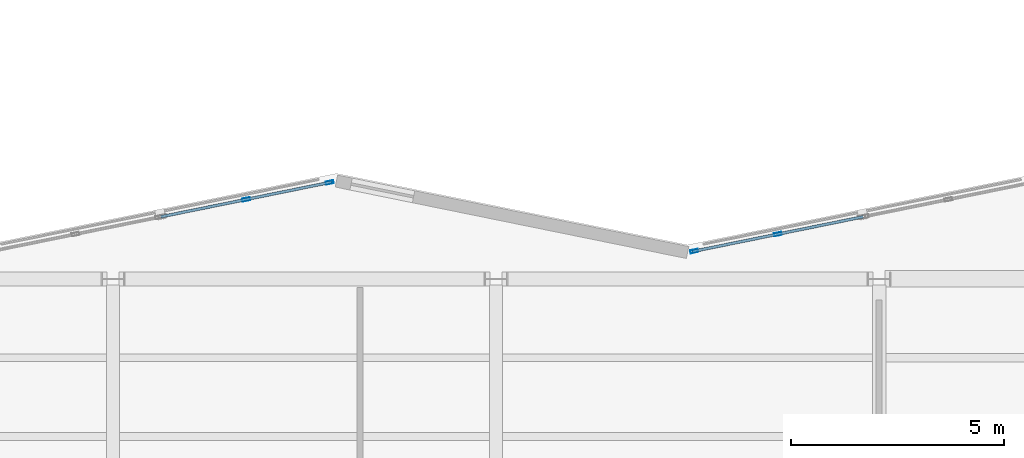
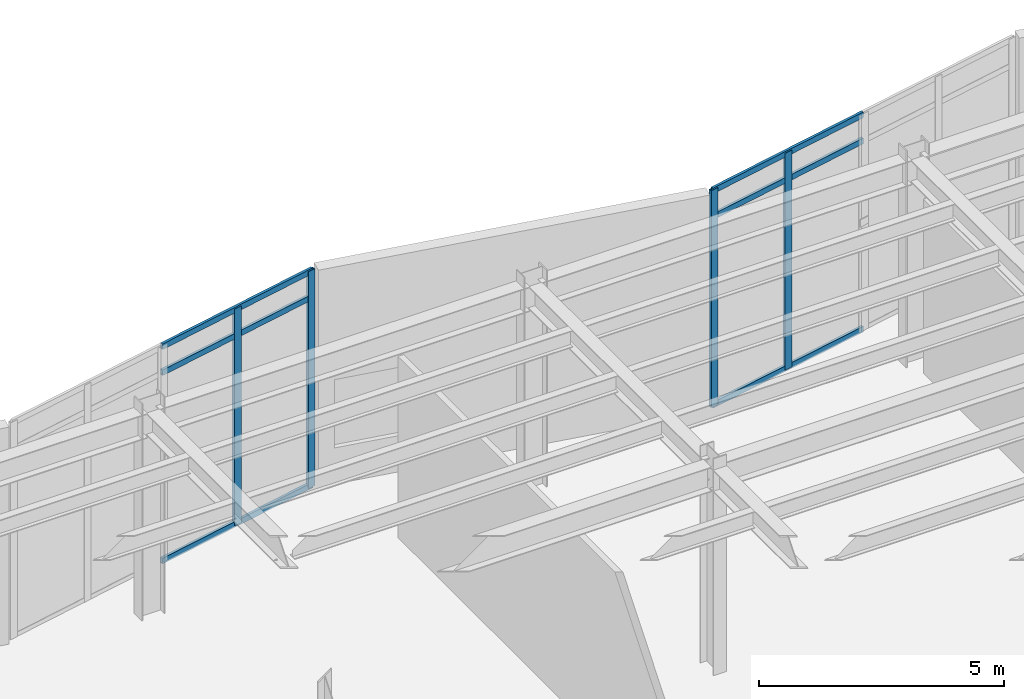
# One storey, part 64 of 98: 10 members, 2 elements without a shape of their own.
"""IFC4 building model written with IfcOpenShell, lengths in metres."""

from ifc_helpers import new_model, si_unit, direction, frame, origin, origin_2d, place, context, subcontext, project, spatial, hollow_rectangle, extrude, material, layer, layer_set, material_profile, profile_set, type_object, element, aggregate, save


model = new_model("IFC4")

# Units and contexts
model_context = context("Model", 3, precision=1e-05, world=origin(), true_north=direction((0.0, 1.0)))
body_context = subcontext(model_context, "Body", "Model", "MODEL_VIEW")
ifc_project = project(units=[si_unit("LENGTHUNIT", "METRE"), si_unit("AREAUNIT", "SQUARE_METRE"), si_unit("VOLUMEUNIT", "CUBIC_METRE"), si_unit("PLANEANGLEUNIT", "RADIAN"), si_unit("MASSUNIT", "GRAM", prefix="KILO")], contexts=[model_context])

# Site, building, storey
site_placement = place(None, origin())
site = spatial("IfcSite", under=ifc_project, at=site_placement, CompositionType="ELEMENT")
building_placement = place(site_placement, origin())
building = spatial("IfcBuilding", under=site, at=building_placement, Name="Sollismere Congress Hotel", CompositionType="ELEMENT")
storey_placement = place(building_placement, frame((0.0, 0.0, 5.39990234375)))
storey = spatial("IfcBuildingStorey", under=building, at=storey_placement, Name="L01", CompositionType="ELEMENT", Elevation=5.39990234375)

# Curtain wall, members
ifc_material_1 = material(Name="Anodized Bronze Curtain Wall & Low-E Triple Glazing", Category="glass")
ifc_layer = layer(ifc_material_1, 0.199951171875, Name="Anodized Bronze Curtain Wall & Low-E Triple Glazing")
ifc_layer_set = layer_set([ifc_layer], Name="Anodized Bronze Curtain Wall & Low-E Triple Glazing")
curtain_wall_type = type_object("IfcCurtainWallType", Name="CW-GLZ36", PredefinedType="USERDEFINED", material=ifc_layer_set)
curtain_wall_1_placement = place(storey_placement, origin())
curtain_wall_1 = element("IfcCurtainWall", 1, at=curtain_wall_1_placement, inside=storey, type_object=curtain_wall_type, Name="Unitised curtain wall CW-L01-086", ObjectType="UNITISED CURTAIN WALL", PredefinedType="USERDEFINED")
ifc_material_2 = material(Name="Anodized Aluminum 6063-T6", Category="aluminium")
ifc_material_profile_1 = material_profile(ifc_material_2, hollow_rectangle(XDim=0.074951171875, YDim=0.179931640625, WallThickness=0.0048828125, at=origin_2d()), Name="ALU180X75X5")
ifc_profile_set_1 = profile_set([ifc_material_profile_1], Name="Anodized Aluminum 6063-T6")
member_type_1 = type_object("IfcMemberType", Name="ML-CW180", PredefinedType="MULLION", material=ifc_profile_set_1)
member_1_placement = place(storey_placement, frame((97.128662109375, 104.266845703125, 0.0), z_axis=(0.0, 0.0, 1.0), x_axis=(-0.199367934417, 0.979924704621, 0.0)))
member_1 = element("IfcMember", 2, at=member_1_placement, type_object=member_type_1, Name="CWL-CW-L01-086-ML02", PredefinedType="MULLION", context=body_context, shape_type="SweptSolid", body=[
    extrude(hollow_rectangle(XDim=0.074951171875, YDim=0.179931640625, WallThickness=0.0048828125, at=origin_2d()), origin(), (0.0, 0.0, 1.0), 5.400146484375),
])
member_2_placement = place(storey_placement, frame((99.09521484375, 104.6669921875, 0.0), z_axis=(0.0, 0.0, 1.0), x_axis=(-0.199367934417, 0.979924704621, 0.0)))
member_2 = element("IfcMember", 3, at=member_2_placement, type_object=member_type_1, Name="CWL-CW-L01-086-ML03", PredefinedType="MULLION", context=body_context, shape_type="SweptSolid", body=[
    extrude(hollow_rectangle(XDim=0.074951171875, YDim=0.179931640625, WallThickness=0.0048828125, at=origin_2d()), origin(), (0.0, 0.0, 1.0), 5.400146484375),
])

curtain_wall_2_placement = place(storey_placement, origin())
curtain_wall_2 = element("IfcCurtainWall", 4, at=curtain_wall_2_placement, inside=storey, type_object=curtain_wall_type, Name="Unitised curtain wall CW-L01-087", ObjectType="UNITISED CURTAIN WALL", PredefinedType="USERDEFINED")
member_3_placement = place(storey_placement, frame((107.65478515625, 103.051513671875, 0.0), z_axis=(0.0, 0.0, 1.0), x_axis=(-0.199367934417, 0.979924704621, 0.0)))
member_3 = element("IfcMember", 5, at=member_3_placement, type_object=member_type_1, Name="CWL-CW-L01-087-ML01", PredefinedType="MULLION", context=body_context, shape_type="SweptSolid", body=[
    extrude(hollow_rectangle(XDim=0.074951171875, YDim=0.179931640625, WallThickness=0.0048828125, at=origin_2d()), origin(), (0.0, 0.0, 1.0), 5.400146484375),
])
member_4_placement = place(storey_placement, frame((109.621337890625, 103.45166015625, 0.0), z_axis=(0.0, 0.0, 1.0), x_axis=(-0.199367934417, 0.979924704621, 0.0)))
member_4 = element("IfcMember", 6, at=member_4_placement, type_object=member_type_1, Name="CWL-CW-L01-087-ML02", PredefinedType="MULLION", context=body_context, shape_type="SweptSolid", body=[
    extrude(hollow_rectangle(XDim=0.074951171875, YDim=0.179931640625, WallThickness=0.0048828125, at=origin_2d()), origin(), (0.0, 0.0, 1.0), 5.400146484375),
])

# Member
ifc_material_profile_2 = material_profile(ifc_material_2, hollow_rectangle(XDim=0.06494140625, YDim=0.139892578125, WallThickness=0.00390625, at=origin_2d()), Name="ALU140X65X4")
ifc_profile_set_2 = profile_set([ifc_material_profile_2], Name="Anodized Aluminum 6063-T6")
member_type_2 = type_object("IfcMemberType", Name="TR-CW150", PredefinedType="MEMBER", material=ifc_profile_set_2)
member_5_placement = place(storey_placement, frame((95.125, 103.859375, 0.03271484375), z_axis=(0.979930139944, 0.199341217087, 0.0), x_axis=(-0.199341217087, 0.979930139944, 0.0)))
member_5 = element("IfcMember", 7, at=member_5_placement, type_object=member_type_2, Name="CWL-CW-L01-086-TR1", PredefinedType="MEMBER", context=body_context, shape_type="SweptSolid", body=[
    extrude(hollow_rectangle(XDim=0.06494140625, YDim=0.139892578125, WallThickness=0.00390625, at=origin_2d()), origin(), (0.0, 0.0, 1.0), 4.08935546875),
])

member_6_placement = place(storey_placement, frame((95.125, 103.859375, 4.72021484375), z_axis=(0.979930139944, 0.199341217087, 0.0), x_axis=(-0.199341217087, 0.979930139944, 0.0)))
member_6 = element("IfcMember", 8, at=member_6_placement, type_object=member_type_2, Name="CWL-CW-L01-086-TR2", PredefinedType="MEMBER", context=body_context, shape_type="SweptSolid", body=[
    extrude(hollow_rectangle(XDim=0.06494140625, YDim=0.139892578125, WallThickness=0.00390625, at=origin_2d()), origin(), (0.0, 0.0, 1.0), 4.08935546875),
])

member_7_placement = place(storey_placement, frame((95.125, 103.859375, 5.36767578125), z_axis=(0.979930139944, 0.199341217087, 0.0), x_axis=(-0.199341217087, 0.979930139944, 0.0)))
member_7 = element("IfcMember", 9, at=member_7_placement, type_object=member_type_2, Name="CWL-CW-L01-086-TR3", PredefinedType="MEMBER", context=body_context, shape_type="SweptSolid", body=[
    extrude(hollow_rectangle(XDim=0.06494140625, YDim=0.139892578125, WallThickness=0.00390625, at=origin_2d()), origin(), (0.0, 0.0, 1.0), 4.08935546875),
])

aggregate(curtain_wall_1, [member_1, member_2, member_5, member_6, member_7])

member_8_placement = place(storey_placement, frame((107.61767578125, 103.0439453125, 0.03271484375), z_axis=(0.979918476409, 0.199398544609, 0.0), x_axis=(-0.199398544609, 0.979918476409, 0.0)))
member_8 = element("IfcMember", 10, at=member_8_placement, type_object=member_type_2, Name="CWL-CW-L01-087-TR1", PredefinedType="MEMBER", context=body_context, shape_type="SweptSolid", body=[
    extrude(hollow_rectangle(XDim=0.06494140625, YDim=0.139892578125, WallThickness=0.00390625, at=origin_2d()), origin(), (0.0, 0.0, 1.0), 4.08935546875),
])

member_9_placement = place(storey_placement, frame((107.61767578125, 103.0439453125, 4.72021484375), z_axis=(0.979918476409, 0.199398544609, 0.0), x_axis=(-0.199398544609, 0.979918476409, 0.0)))
member_9 = element("IfcMember", 11, at=member_9_placement, type_object=member_type_2, Name="CWL-CW-L01-087-TR2", PredefinedType="MEMBER", context=body_context, shape_type="SweptSolid", body=[
    extrude(hollow_rectangle(XDim=0.06494140625, YDim=0.139892578125, WallThickness=0.00390625, at=origin_2d()), origin(), (0.0, 0.0, 1.0), 4.08935546875),
])

member_10_placement = place(storey_placement, frame((107.61767578125, 103.0439453125, 5.36767578125), z_axis=(0.979918476409, 0.199398544609, 0.0), x_axis=(-0.199398544609, 0.979918476409, 0.0)))
member_10 = element("IfcMember", 12, at=member_10_placement, type_object=member_type_2, Name="CWL-CW-L01-087-TR3", PredefinedType="MEMBER", context=body_context, shape_type="SweptSolid", body=[
    extrude(hollow_rectangle(XDim=0.06494140625, YDim=0.139892578125, WallThickness=0.00390625, at=origin_2d()), origin(), (0.0, 0.0, 1.0), 4.08935546875),
])

aggregate(curtain_wall_2, [member_3, member_4, member_8, member_9, member_10])

save(model, "model.ifc")
